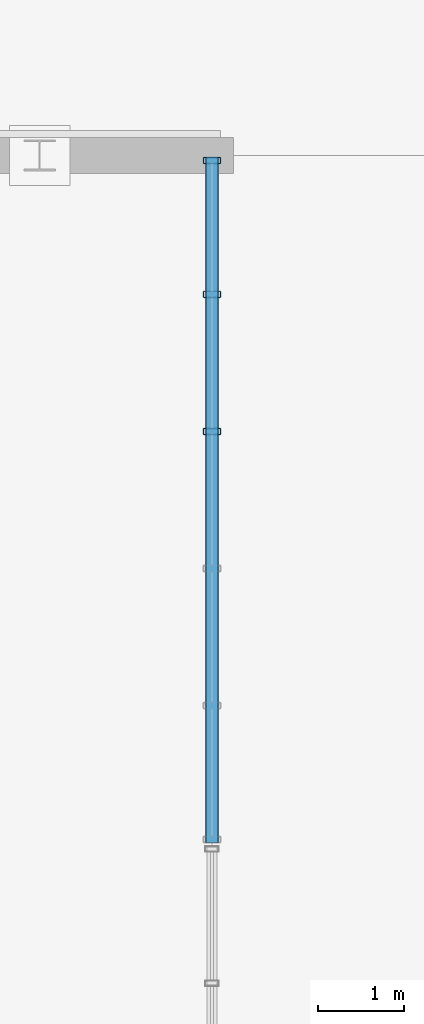
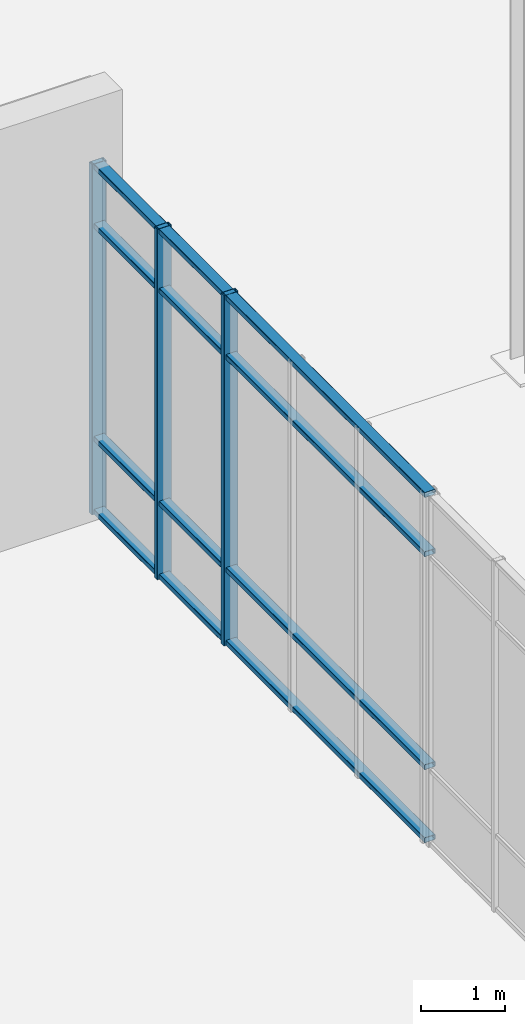
# One storey, part 97 of 140: 7 members, 1 element without a shape of its own.
"""IFC4 building model written with IfcOpenShell, lengths in metres."""

from ifc_helpers import new_model, si_unit, direction, frame, origin, origin_2d, place, context, subcontext, project, spatial, hollow_rectangle, extrude, material, material_profile, profile_set, type_object, element, aggregate, save


model = new_model("IFC4")

# Units and contexts
model_context = context("Model", 3, precision=1e-05, world=origin(), true_north=direction((0.0, 1.0)))
body_context = subcontext(model_context, "Body", "Model", "MODEL_VIEW")
ifc_project = project(units=[si_unit("LENGTHUNIT", "METRE"), si_unit("AREAUNIT", "SQUARE_METRE"), si_unit("VOLUMEUNIT", "CUBIC_METRE"), si_unit("PLANEANGLEUNIT", "RADIAN"), si_unit("MASSUNIT", "GRAM", prefix="KILO")], contexts=[model_context])

# Site, building, storey
site_placement = place(None, origin())
site = spatial("IfcSite", under=ifc_project, at=site_placement, CompositionType="ELEMENT")
building_placement = place(site_placement, origin())
building = spatial("IfcBuilding", under=site, at=building_placement, Name="Verrall Gate Interchange", CompositionType="ELEMENT")
storey_placement = place(building_placement, origin())
storey = spatial("IfcBuildingStorey", under=building, at=storey_placement, Name="L01", CompositionType="ELEMENT", Elevation=0.0)

# Curtain wall, members
ifc_material_1 = material(Name="Thermally Broken Anodized Aluminium Curtain Wall Framing", Category="aluminium")
curtain_wall_type = type_object("IfcCurtainWallType", Name="CW-09 Unitized Curtain Wall 7960x5100", PredefinedType="NOTDEFINED", material=ifc_material_1)
curtain_wall_placement = place(storey_placement, origin())
curtain_wall = element("IfcCurtainWall", 1, at=curtain_wall_placement, inside=storey, type_object=curtain_wall_type, Name="L01 Unitized Curtain Wall CW-L01-031", PredefinedType="NOTDEFINED")
ifc_material_2 = material(Name="Thermally Broken Anodized Aluminium Curtain Wall Framing", Category="aluminium")
ifc_material_profile_1 = material_profile(ifc_material_2, hollow_rectangle(XDim=0.074951171875, YDim=0.199951171875, WallThickness=0.0048828125, InnerFilletRadius=0.0048828125, OuterFilletRadius=0.010009765625, at=origin_2d()), Name="CWM200x75x5")
ifc_profile_set_1 = profile_set([ifc_material_profile_1], Name="Thermally Broken Anodized Aluminium Curtain Wall Framing")
member_type_1 = type_object("IfcMemberType", Name="CM-02 Curtain Mullion CWM200x75x5", PredefinedType="MULLION", material=ifc_profile_set_1)
member_1_placement = place(storey_placement, frame((150.0, 86.7958984375, 0.0), z_axis=(0.0, 0.0, 1.0), x_axis=(0.0, 1.0, 0.0)))
member_1 = element("IfcMember", 2, at=member_1_placement, type_object=member_type_1, Name="CW-L01-031 Mullion 4", PredefinedType="MULLION", context=body_context, shape_type="SweptSolid", body=[
    extrude(hollow_rectangle(XDim=0.074951171875, YDim=0.199951171875, WallThickness=0.0048828125, InnerFilletRadius=0.0048828125, OuterFilletRadius=0.010009765625, at=origin_2d()), origin(), (0.0, 0.0, 1.0), 5.10009765625),
])
member_2_placement = place(storey_placement, frame((150.0, 88.387939453125, 0.0), z_axis=(0.0, 0.0, 1.0), x_axis=(0.0, 1.0, 0.0)))
member_2 = element("IfcMember", 3, at=member_2_placement, type_object=member_type_1, Name="CW-L01-031 Mullion 5", PredefinedType="MULLION", context=body_context, shape_type="SweptSolid", body=[
    extrude(hollow_rectangle(XDim=0.074951171875, YDim=0.199951171875, WallThickness=0.0048828125, InnerFilletRadius=0.0048828125, OuterFilletRadius=0.010009765625, at=origin_2d()), origin(), (0.0, 0.0, 1.0), 5.10009765625),
])
member_3_placement = place(storey_placement, frame((150.0, 89.9423828125, 0.0), z_axis=(0.0, 0.0, 1.0), x_axis=(0.0, 1.0, 0.0)))
member_3 = element("IfcMember", 4, at=member_3_placement, type_object=member_type_1, Name="CW-L01-031 Mullion 6", PredefinedType="MULLION", context=body_context, shape_type="SweptSolid", body=[
    extrude(hollow_rectangle(XDim=0.074951171875, YDim=0.199951171875, WallThickness=0.0048828125, InnerFilletRadius=0.0048828125, OuterFilletRadius=0.010009765625, at=origin_2d()), origin(), (0.0, 0.0, 1.0), 5.10009765625),
])
ifc_material_3 = material(Name="Thermally Broken Anodized Aluminium Curtain Wall Framing", Category="aluminium")
ifc_material_profile_2 = material_profile(ifc_material_3, hollow_rectangle(XDim=0.14990234375, YDim=0.074951171875, WallThickness=0.00439453125, InnerFilletRadius=0.00439453125, OuterFilletRadius=0.009033203125, at=origin_2d()), Name="CWT150x75x4.5")
ifc_profile_set_2 = profile_set([ifc_material_profile_2], Name="Thermally Broken Anodized Aluminium Curtain Wall Framing")
member_type_2 = type_object("IfcMemberType", Name="CT-02 Curtain Transom CWT150x75x4.5", PredefinedType="USERDEFINED", material=ifc_profile_set_2)
member_4_placement = place(storey_placement, frame((150.0, 82.02001953125, 0.03759765625), z_axis=(0.0, 1.0, 0.0), x_axis=(-1.0, 0.0, 0.0)))
member_4 = element("IfcMember", 5, at=member_4_placement, type_object=member_type_2, Name="CW-L01-031 Transom 1", ObjectType="TRANSOM", PredefinedType="USERDEFINED", context=body_context, shape_type="SweptSolid", body=[
    extrude(hollow_rectangle(XDim=0.14990234375, YDim=0.074951171875, WallThickness=0.00439453125, InnerFilletRadius=0.00439453125, OuterFilletRadius=0.009033203125, at=origin_2d()), origin(), (0.0, 0.0, 1.0), 7.9599609375),
])
member_5_placement = place(storey_placement, frame((150.0, 82.02001953125, 1.10009765625), z_axis=(0.0, 1.0, 0.0), x_axis=(-1.0, 0.0, 0.0)))
member_5 = element("IfcMember", 6, at=member_5_placement, type_object=member_type_2, Name="CW-L01-031 Transom 2", ObjectType="TRANSOM", PredefinedType="USERDEFINED", context=body_context, shape_type="SweptSolid", body=[
    extrude(hollow_rectangle(XDim=0.14990234375, YDim=0.074951171875, WallThickness=0.00439453125, InnerFilletRadius=0.00439453125, OuterFilletRadius=0.009033203125, at=origin_2d()), origin(), (0.0, 0.0, 1.0), 7.9599609375),
])
member_6_placement = place(storey_placement, frame((150.0, 82.02001953125, 4.199951171875), z_axis=(0.0, 1.0, 0.0), x_axis=(-1.0, 0.0, 0.0)))
member_6 = element("IfcMember", 7, at=member_6_placement, type_object=member_type_2, Name="CW-L01-031 Transom 3", ObjectType="TRANSOM", PredefinedType="USERDEFINED", context=body_context, shape_type="SweptSolid", body=[
    extrude(hollow_rectangle(XDim=0.14990234375, YDim=0.074951171875, WallThickness=0.00439453125, InnerFilletRadius=0.00439453125, OuterFilletRadius=0.009033203125, at=origin_2d()), origin(), (0.0, 0.0, 1.0), 7.9599609375),
])
member_7_placement = place(storey_placement, frame((150.0, 82.02001953125, 5.0625), z_axis=(0.0, 1.0, 0.0), x_axis=(-1.0, 0.0, 0.0)))
member_7 = element("IfcMember", 8, at=member_7_placement, type_object=member_type_2, Name="CW-L01-031 Transom 4", ObjectType="TRANSOM", PredefinedType="USERDEFINED", context=body_context, shape_type="SweptSolid", body=[
    extrude(hollow_rectangle(XDim=0.14990234375, YDim=0.074951171875, WallThickness=0.00439453125, InnerFilletRadius=0.00439453125, OuterFilletRadius=0.009033203125, at=origin_2d()), origin(), (0.0, 0.0, 1.0), 7.9599609375),
])
aggregate(curtain_wall, [member_1, member_2, member_3, member_4, member_5, member_6, member_7])

save(model, "model.ifc")
